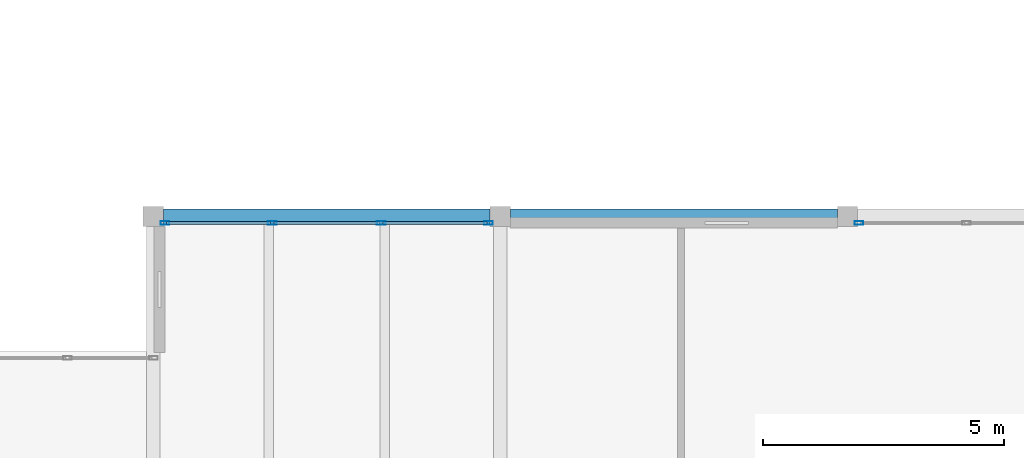
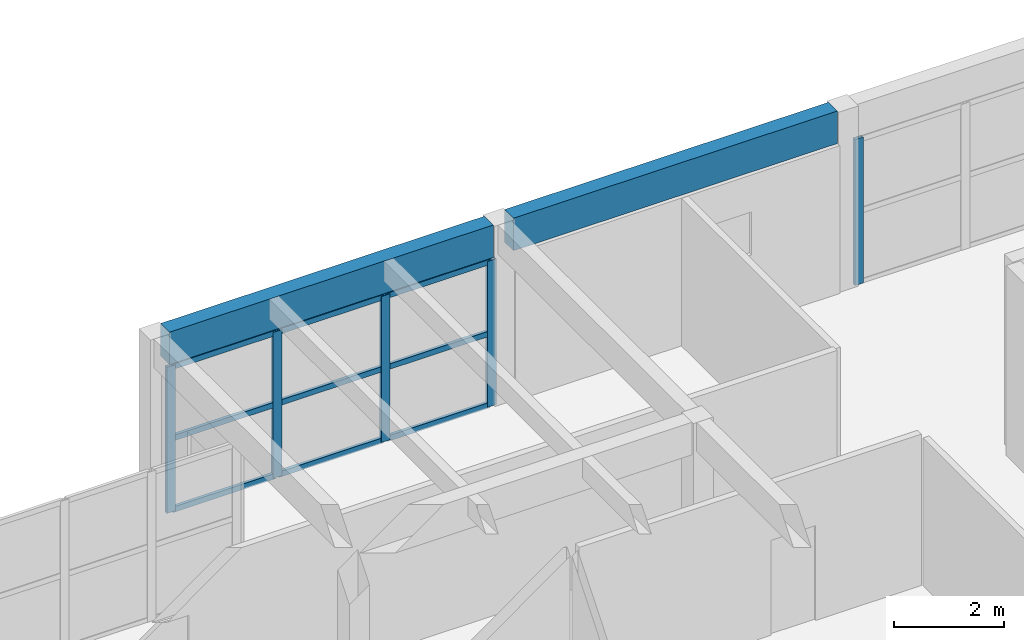
# One storey, part 36 of 68: 14 members, 2 beams, 2 elements without a shape of their own.
"""IFC4 building model written with IfcOpenShell, lengths in metres."""

from ifc_helpers import new_model, si_unit, direction, frame, origin, origin_2d, place, context, subcontext, project, spatial, rectangle, hollow_rectangle, extrude, material, material_profile, profile_set, type_object, element, aggregate, save


model = new_model("IFC4")

# Units and contexts
model_context = context("Model", 3, precision=1e-05, world=origin(), true_north=direction((0.0, 1.0)))
body_context = subcontext(model_context, "Body", "Model", "MODEL_VIEW")
ifc_project = project(units=[si_unit("LENGTHUNIT", "METRE"), si_unit("AREAUNIT", "SQUARE_METRE"), si_unit("VOLUMEUNIT", "CUBIC_METRE"), si_unit("PLANEANGLEUNIT", "RADIAN"), si_unit("MASSUNIT", "GRAM", prefix="KILO")], contexts=[model_context])

# Site, building, storey
site_placement = place(None, origin())
site = spatial("IfcSite", under=ifc_project, at=site_placement, CompositionType="ELEMENT")
building_placement = place(site_placement, origin())
building = spatial("IfcBuilding", under=site, at=building_placement, Name="Bramvelor Terrace Health Centre", CompositionType="ELEMENT")
storey_placement = place(building_placement, frame((0.0, 0.0, 9.300048828125)))
storey = spatial("IfcBuildingStorey", under=building, at=storey_placement, Name="L03", CompositionType="ELEMENT", Elevation=9.300048828125)

# Beams
ifc_material_1 = material(Name="Glulam GL28h", Category="wood")
ifc_material_profile_1 = material_profile(ifc_material_1, rectangle(XDim=0.320068359375, YDim=0.719970703125, at=origin_2d()), Name="GL 320x720")
ifc_profile_set_1 = profile_set([ifc_material_profile_1], Name="Glulam GL28h")
beam_type = type_object("IfcBeamType", Name="BM-GL-G720", PredefinedType="BEAM", material=ifc_profile_set_1)
for number, where, z_axis, x_axis, name in (
    (1, (65.010009765625, 100.800048828125, 3.6298828125), (1.0, 0.0, 0.0), (0.0, 1.0, 0.0), "L03 Floor Girder"),
    (2, (72.2099609375, 100.800048828125, 3.6298828125), (1.0, 0.0, 0.0), (0.0, 1.0, 0.0), "L03 Floor Girder"),
):
    element("IfcBeam", number, at=place(storey_placement, frame(where, z_axis=z_axis, x_axis=x_axis)), inside=storey, type_object=beam_type, Name=name, PredefinedType="BEAM", context=body_context, shape_type="SweptSolid", body=[
        extrude(rectangle(XDim=0.320068359375, YDim=0.719970703125, at=origin_2d()), origin(), (0.0, 0.0, 1.0), 6.780029296875),
    ])

# Curtain wall, members
ifc_material_2 = material(Name="Anodized aluminium and double low-E glass", Category="aluminium")
curtain_wall_type = type_object("IfcCurtainWallType", Name="CW-SYS-27", PredefinedType="NOTDEFINED", material=ifc_material_2)
curtain_wall_1_placement = place(storey_placement, origin())
curtain_wall_1 = element("IfcCurtainWall", 3, at=curtain_wall_1_placement, inside=storey, type_object=curtain_wall_type, Name="L03 Unitized Curtain Wall 176", PredefinedType="NOTDEFINED")
ifc_material_3 = material(Name="Anodized aluminium 6063-T6", Category="aluminium")
ifc_material_profile_2 = material_profile(ifc_material_3, hollow_rectangle(XDim=0.074951171875, YDim=0.179931640625, WallThickness=0.00341796875, at=origin_2d()), Name="ALU-MUL 75x180x3.5")
ifc_profile_set_2 = profile_set([ifc_material_profile_2], Name="Anodized aluminium 6063-T6")
member_type_1 = type_object("IfcMemberType", Name="CW-MUL-65x180", PredefinedType="MULLION", material=ifc_profile_set_2)
member_1_placement = place(storey_placement, frame((65.04248046875, 100.669921875, 0.0), z_axis=(0.0, 0.0, 1.0), x_axis=(0.0, 1.0, 0.0)))
member_1 = element("IfcMember", 4, at=member_1_placement, type_object=member_type_1, Name="CW-27 mullion 1", PredefinedType="MULLION", context=body_context, shape_type="SweptSolid", body=[
    extrude(hollow_rectangle(XDim=0.074951171875, YDim=0.179931640625, WallThickness=0.00341796875, at=origin_2d()), origin(), (0.0, 0.0, 1.0), 3.22998046875),
])
member_2_placement = place(storey_placement, frame((67.268310546875, 100.669921875, 0.0), z_axis=(0.0, 0.0, 1.0), x_axis=(0.0, 1.0, 0.0)))
member_2 = element("IfcMember", 5, at=member_2_placement, type_object=member_type_1, Name="CW-27 mullion 2", PredefinedType="MULLION", context=body_context, shape_type="SweptSolid", body=[
    extrude(hollow_rectangle(XDim=0.074951171875, YDim=0.179931640625, WallThickness=0.00341796875, at=origin_2d()), origin(), (0.0, 0.0, 1.0), 3.22998046875),
])
member_3_placement = place(storey_placement, frame((69.53173828125, 100.669921875, 0.0), z_axis=(0.0, 0.0, 1.0), x_axis=(0.0, 1.0, 0.0)))
member_3 = element("IfcMember", 6, at=member_3_placement, type_object=member_type_1, Name="CW-27 mullion 3", PredefinedType="MULLION", context=body_context, shape_type="SweptSolid", body=[
    extrude(hollow_rectangle(XDim=0.074951171875, YDim=0.179931640625, WallThickness=0.00341796875, at=origin_2d()), origin(), (0.0, 0.0, 1.0), 3.22998046875),
])
member_4_placement = place(storey_placement, frame((71.757568359375, 100.669921875, 0.0), z_axis=(0.0, 0.0, 1.0), x_axis=(0.0, 1.0, 0.0)))
member_4 = element("IfcMember", 7, at=member_4_placement, type_object=member_type_1, Name="CW-27 mullion 4", PredefinedType="MULLION", context=body_context, shape_type="SweptSolid", body=[
    extrude(hollow_rectangle(XDim=0.074951171875, YDim=0.179931640625, WallThickness=0.00341796875, at=origin_2d()), origin(), (0.0, 0.0, 1.0), 3.22998046875),
])

# Curtain wall, member
curtain_wall_2_placement = place(storey_placement, origin())
curtain_wall_2 = element("IfcCurtainWall", 8, at=curtain_wall_2_placement, inside=storey, type_object=curtain_wall_type, Name="L03 Unitized Curtain Wall 177", PredefinedType="NOTDEFINED")
member_5_placement = place(storey_placement, frame((79.4423828125, 100.669921875, 0.0), z_axis=(0.0, 0.0, 1.0), x_axis=(0.0, 1.0, 0.0)))
member_5 = element("IfcMember", 9, at=member_5_placement, type_object=member_type_1, Name="CW-27 mullion 1", PredefinedType="MULLION", context=body_context, shape_type="SweptSolid", body=[
    extrude(hollow_rectangle(XDim=0.074951171875, YDim=0.179931640625, WallThickness=0.00341796875, at=origin_2d()), origin(), (0.0, 0.0, 1.0), 3.22998046875),
])
aggregate(curtain_wall_2, [member_5])

# Member
ifc_material_4 = material(Name="Anodized aluminium 6063-T6", Category="aluminium")
ifc_material_profile_3 = material_profile(ifc_material_4, hollow_rectangle(XDim=0.06494140625, YDim=0.1201171875, WallThickness=0.0029296875, at=origin_2d()), Name="ALU-TRN 65x120x3.0")
ifc_profile_set_3 = profile_set([ifc_material_profile_3], Name="Anodized aluminium 6063-T6")
member_type_2 = type_object("IfcMemberType", Name="CW-TRN-65x150", PredefinedType="USERDEFINED", material=ifc_profile_set_3)
member_6_placement = place(storey_placement, frame((65.080078125, 100.669921875, 0.032470703125), z_axis=(1.0, 0.0, 0.0), x_axis=(0.0, 1.0, 0.0)))
member_6 = element("IfcMember", 10, at=member_6_placement, type_object=member_type_2, Name="CW-27 transom 1.1", ObjectType="TRANSOM", PredefinedType="USERDEFINED", context=body_context, shape_type="SweptSolid", body=[
    extrude(hollow_rectangle(XDim=0.06494140625, YDim=0.1201171875, WallThickness=0.0029296875, at=origin_2d()), origin(), (0.0, 0.0, 1.0), 2.150634765625),
])

member_7_placement = place(storey_placement, frame((65.080078125, 100.669921875, 1.614990234375), z_axis=(1.0, 0.0, 0.0), x_axis=(0.0, 1.0, 0.0)))
member_7 = element("IfcMember", 11, at=member_7_placement, type_object=member_type_2, Name="CW-27 transom 1.2", ObjectType="TRANSOM", PredefinedType="USERDEFINED", context=body_context, shape_type="SweptSolid", body=[
    extrude(hollow_rectangle(XDim=0.06494140625, YDim=0.1201171875, WallThickness=0.0029296875, at=origin_2d()), origin(), (0.0, 0.0, 1.0), 2.150634765625),
])

member_8_placement = place(storey_placement, frame((65.080078125, 100.669921875, 3.197509765625), z_axis=(1.0, 0.0, 0.0), x_axis=(0.0, 1.0, 0.0)))
member_8 = element("IfcMember", 12, at=member_8_placement, type_object=member_type_2, Name="CW-27 transom 1.3", ObjectType="TRANSOM", PredefinedType="USERDEFINED", context=body_context, shape_type="SweptSolid", body=[
    extrude(hollow_rectangle(XDim=0.06494140625, YDim=0.1201171875, WallThickness=0.0029296875, at=origin_2d()), origin(), (0.0, 0.0, 1.0), 2.150634765625),
])

member_9_placement = place(storey_placement, frame((67.305908203125, 100.669921875, 0.032470703125), z_axis=(1.0, 0.0, 0.0), x_axis=(0.0, 1.0, 0.0)))
member_9 = element("IfcMember", 13, at=member_9_placement, type_object=member_type_2, Name="CW-27 transom 2.1", ObjectType="TRANSOM", PredefinedType="USERDEFINED", context=body_context, shape_type="SweptSolid", body=[
    extrude(hollow_rectangle(XDim=0.06494140625, YDim=0.1201171875, WallThickness=0.0029296875, at=origin_2d()), origin(), (0.0, 0.0, 1.0), 2.188232421875),
])

member_10_placement = place(storey_placement, frame((67.305908203125, 100.669921875, 1.614990234375), z_axis=(1.0, 0.0, 0.0), x_axis=(0.0, 1.0, 0.0)))
member_10 = element("IfcMember", 14, at=member_10_placement, type_object=member_type_2, Name="CW-27 transom 2.2", ObjectType="TRANSOM", PredefinedType="USERDEFINED", context=body_context, shape_type="SweptSolid", body=[
    extrude(hollow_rectangle(XDim=0.06494140625, YDim=0.1201171875, WallThickness=0.0029296875, at=origin_2d()), origin(), (0.0, 0.0, 1.0), 2.188232421875),
])

member_11_placement = place(storey_placement, frame((67.305908203125, 100.669921875, 3.197509765625), z_axis=(1.0, 0.0, 0.0), x_axis=(0.0, 1.0, 0.0)))
member_11 = element("IfcMember", 15, at=member_11_placement, type_object=member_type_2, Name="CW-27 transom 2.3", ObjectType="TRANSOM", PredefinedType="USERDEFINED", context=body_context, shape_type="SweptSolid", body=[
    extrude(hollow_rectangle(XDim=0.06494140625, YDim=0.1201171875, WallThickness=0.0029296875, at=origin_2d()), origin(), (0.0, 0.0, 1.0), 2.188232421875),
])

member_12_placement = place(storey_placement, frame((69.569091796875, 100.669921875, 0.032470703125), z_axis=(1.0, 0.0, 0.0), x_axis=(0.0, 1.0, 0.0)))
member_12 = element("IfcMember", 16, at=member_12_placement, type_object=member_type_2, Name="CW-27 transom 3.1", ObjectType="TRANSOM", PredefinedType="USERDEFINED", context=body_context, shape_type="SweptSolid", body=[
    extrude(hollow_rectangle(XDim=0.06494140625, YDim=0.1201171875, WallThickness=0.0029296875, at=origin_2d()), origin(), (0.0, 0.0, 1.0), 2.15087890625),
])

member_13_placement = place(storey_placement, frame((69.569091796875, 100.669921875, 1.614990234375), z_axis=(1.0, 0.0, 0.0), x_axis=(0.0, 1.0, 0.0)))
member_13 = element("IfcMember", 17, at=member_13_placement, type_object=member_type_2, Name="CW-27 transom 3.2", ObjectType="TRANSOM", PredefinedType="USERDEFINED", context=body_context, shape_type="SweptSolid", body=[
    extrude(hollow_rectangle(XDim=0.06494140625, YDim=0.1201171875, WallThickness=0.0029296875, at=origin_2d()), origin(), (0.0, 0.0, 1.0), 2.15087890625),
])

member_14_placement = place(storey_placement, frame((69.569091796875, 100.669921875, 3.197509765625), z_axis=(1.0, 0.0, 0.0), x_axis=(0.0, 1.0, 0.0)))
member_14 = element("IfcMember", 18, at=member_14_placement, type_object=member_type_2, Name="CW-27 transom 3.3", ObjectType="TRANSOM", PredefinedType="USERDEFINED", context=body_context, shape_type="SweptSolid", body=[
    extrude(hollow_rectangle(XDim=0.06494140625, YDim=0.1201171875, WallThickness=0.0029296875, at=origin_2d()), origin(), (0.0, 0.0, 1.0), 2.15087890625),
])

aggregate(curtain_wall_1, [member_1, member_2, member_3, member_4, member_6, member_7, member_8, member_9, member_10, member_11, member_12, member_13, member_14])

save(model, "model.ifc")
